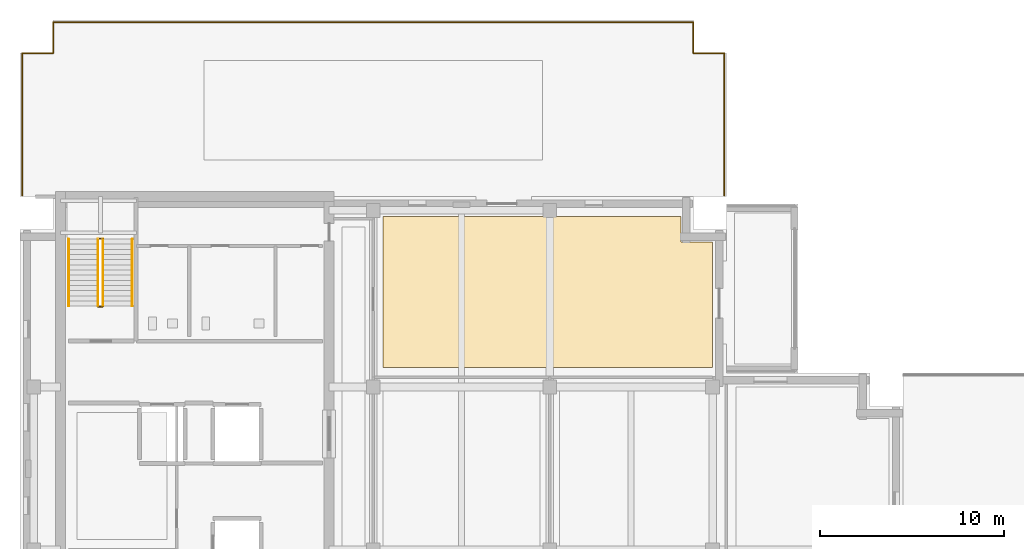
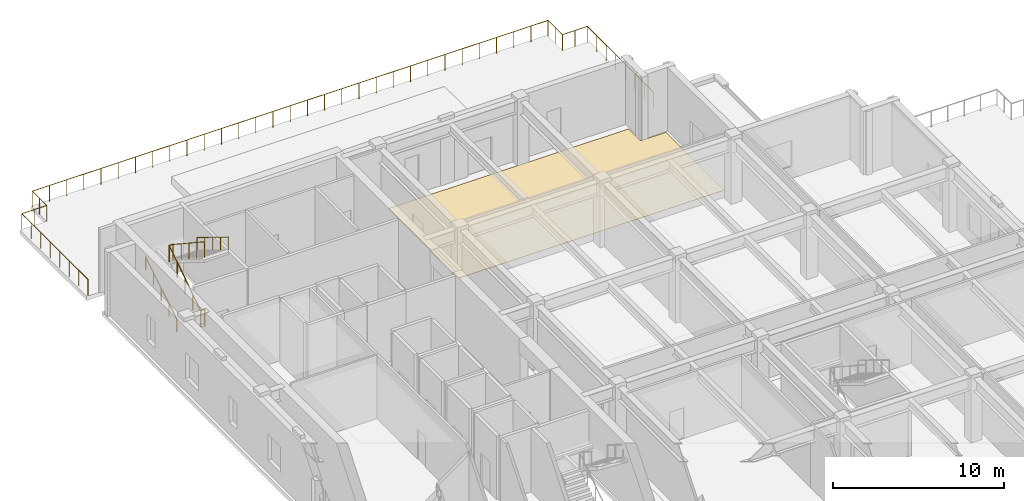
# One storey, part 9 of 11: 7 railings, 1 covering.
"""IFC4 building model written with IfcOpenShell, lengths in metres."""

from ifc_helpers import new_model, si_unit, direction, frame, origin, origin_2d, place, context, subcontext, project, spatial, polyline, circle, outline, extrude, material, layer, layer_set, type_object, element, save


model = new_model("IFC4")

# Units and contexts
model_context = context("Model", 3, precision=1e-05, world=origin(), true_north=direction((0.0, 1.0)))
body_context = subcontext(model_context, "Body", "Model", "MODEL_VIEW")
ifc_project = project(units=[si_unit("LENGTHUNIT", "METRE"), si_unit("AREAUNIT", "SQUARE_METRE"), si_unit("VOLUMEUNIT", "CUBIC_METRE"), si_unit("PLANEANGLEUNIT", "RADIAN"), si_unit("MASSUNIT", "GRAM", prefix="KILO")], contexts=[model_context])

# Site, building, storey
site_placement = place(None, origin())
site = spatial("IfcSite", under=ifc_project, at=site_placement, CompositionType="ELEMENT")
building_placement = place(site_placement, origin())
building = spatial("IfcBuilding", under=site, at=building_placement, Name="Norrvale University Quadrangle", CompositionType="ELEMENT")
storey_placement = place(building_placement, frame((0.0, 0.0, 261.0)))
storey = spatial("IfcBuildingStorey", under=building, at=storey_placement, Name="L66", CompositionType="ELEMENT", Elevation=261.0)

# Covering
ifc_material_1 = material(Name="Polished Terrazzo Flooring")
ifc_layer = layer(ifc_material_1, 0.02490234375, Name="Polished Terrazzo Flooring")
ifc_layer_set = layer_set([ifc_layer], Name="Polished Terrazzo Flooring")
covering_type = type_object("IfcCoveringType", Name="Covering Terrazzo Floor 30", PredefinedType="FLOORING", material=ifc_layer_set)
covering_placement = place(storey_placement, origin())
element("IfcCovering", 1, at=covering_placement, inside=storey, type_object=covering_type, Name="Terrazzo Flooring RM-L66-NE01", PredefinedType="FLOORING", context=body_context, shape_type="SweptSolid", body=[
    extrude(outline(polyline([(37.64990234375, 38.7099609375), (19.72998046875, 38.7099609375), (19.72998046875, 46.919921875), (35.929931640625, 46.919921875), (35.929931640625, 45.530029296875), (37.64990234375, 45.530029296875), (37.64990234375, 38.7099609375)])), origin(), (0.0, 0.0, 1.0), 0.02490234375),
])

# Railings
ifc_material_2 = material(Name="Steel 350W Painted Balustrade", Category="steel")
railing_type_1 = type_object("IfcRailingType", Name="Railing Stair Guard 1100", PredefinedType="GUARDRAIL", material=ifc_material_2)
for number, where, name in (
    (2, (4.239990234375, 42.02001953125, 0.0), "Stair Floor Well Guard ST-02 L66"),
    (3, (4.239990234375, 45.719970703125, 2.39990234375), "Stair Mid-Landing Slot Guard ST-02 L66"),
):
    element("IfcRailing", number, at=place(storey_placement, frame(where)), inside=storey, type_object=railing_type_1, Name=name, PredefinedType="GUARDRAIL", context=body_context, shape_type="SweptSolid", body=[
        extrude(circle(Radius=0.02392578125, at=origin_2d()), frame((0.0, 0.0, 1.1259765625), z_axis=(1.0, 0.0, 0.0), x_axis=(0.0, 1.0, 0.0)), (0.0, 0.0, 1.0), 0.27001953125),
        extrude(circle(Radius=0.02099609375, at=origin_2d()), origin(), (0.0, 0.0, 1.0), 1.101806640625),
        extrude(circle(Radius=0.02099609375, at=origin_2d()), frame((0.27001953125, 0.0, 0.0)), (0.0, 0.0, 1.0), 1.101806640625),
    ])
railing_1_placement = place(storey_placement, frame((4.239990234375, 42.050048828125, 0.0)))
element("IfcRailing", 4, at=railing_1_placement, inside=storey, type_object=railing_type_1, Name="Stair Lower Flight Inner Guard ST-02 L66", PredefinedType="GUARDRAIL", context=body_context, shape_type="SweptSolid", body=[
    extrude(circle(Radius=0.02392578125, at=origin_2d()), frame((0.0, 0.0, 1.1259765625), z_axis=(0.0, 0.834865213223, 0.550454426587), x_axis=(-1.0, 0.0, 0.0)), (0.0, 0.0, 1.0), 4.35986328125),
    extrude(circle(Radius=0.02099609375, at=origin_2d()), origin(), (0.0, 0.0, 1.0), 1.101806640625),
    extrude(circle(Radius=0.02099609375, at=origin_2d()), frame((0.0, 0.909912109375, 0.60009765625)), (0.0, 0.0, 1.0), 1.101806640625),
    extrude(circle(Radius=0.02099609375, at=origin_2d()), frame((0.0, 1.81982421875, 1.199951171875)), (0.0, 0.0, 1.0), 1.101806640625),
    extrude(circle(Radius=0.02099609375, at=origin_2d()), frame((0.0, 2.72998046875, 1.7998046875)), (0.0, 0.0, 1.0), 1.101806640625),
    extrude(circle(Radius=0.02099609375, at=origin_2d()), frame((0.0, 3.639892578125, 2.39990234375)), (0.0, 0.0, 1.0), 1.101806640625),
])
railing_2_placement = place(storey_placement, frame((4.510009765625, 45.68994140625, 2.39990234375)))
element("IfcRailing", 5, at=railing_2_placement, inside=storey, type_object=railing_type_1, Name="Stair Upper Flight Inner Guard ST-02 L66", PredefinedType="GUARDRAIL", context=body_context, shape_type="SweptSolid", body=[
    extrude(circle(Radius=0.02392578125, at=origin_2d()), frame((0.0, 0.0, 1.1259765625), z_axis=(0.0, -0.834839479206, 0.550493454965), x_axis=(1.0, 0.0, 0.0)), (0.0, 0.0, 1.0), 4.360107421875),
    extrude(circle(Radius=0.02099609375, at=origin_2d()), origin(), (0.0, 0.0, 1.0), 1.101806640625),
    extrude(circle(Radius=0.02099609375, at=origin_2d()), frame((0.0, -0.909912109375, 0.60009765625)), (0.0, 0.0, 1.0), 1.101806640625),
    extrude(circle(Radius=0.02099609375, at=origin_2d()), frame((0.0, -1.81982421875, 1.2001953125)), (0.0, 0.0, 1.0), 1.101806640625),
    extrude(circle(Radius=0.02099609375, at=origin_2d()), frame((0.0, -2.72998046875, 1.800048828125)), (0.0, 0.0, 1.0), 1.101806640625),
    extrude(circle(Radius=0.02099609375, at=origin_2d()), frame((0.0, -3.639892578125, 2.400146484375)), (0.0, 0.0, 1.0), 1.101806640625),
])
ifc_material_3 = material(Name="Stainless Steel 316L Handrail", Category="steel")
railing_type_2 = type_object("IfcRailingType", Name="Railing Stair Handrail 920", PredefinedType="HANDRAIL", material=ifc_material_3)
railing_3_placement = place(storey_placement, frame((2.639892578125, 42.050048828125, 0.17138671875)))
element("IfcRailing", 6, at=railing_3_placement, inside=storey, type_object=railing_type_2, Name="Stair Lower Flight Handrail ST-02 L66", PredefinedType="HANDRAIL", context=body_context, shape_type="SweptSolid", body=[
    extrude(circle(Radius=0.02392578125, at=origin_2d()), frame((0.0, 0.0, 0.89599609375), z_axis=(0.0, 0.852850264322, 0.5221555579), x_axis=(-1.0, 0.0, 0.0)), (0.0, 0.0, 1.0), 4.267822265625),
    extrude(circle(Radius=0.02099609375, at=origin_2d()), origin(), (0.0, 0.0, 1.0), 0.871826171875),
    extrude(circle(Radius=0.02099609375, at=origin_2d()), frame((0.0, 0.909912109375, 0.55712890625)), (0.0, 0.0, 1.0), 0.871826171875),
    extrude(circle(Radius=0.02099609375, at=origin_2d()), frame((0.0, 1.81982421875, 1.1142578125)), (0.0, 0.0, 1.0), 0.871826171875),
    extrude(circle(Radius=0.02099609375, at=origin_2d()), frame((0.0, 2.72998046875, 1.67138671875)), (0.0, 0.0, 1.0), 0.871826171875),
    extrude(circle(Radius=0.02099609375, at=origin_2d()), frame((0.0, 3.639892578125, 2.228515625)), (0.0, 0.0, 1.0), 0.871826171875),
])
railing_4_placement = place(storey_placement, frame((6.110107421875, 45.68994140625, 2.5712890625)))
element("IfcRailing", 7, at=railing_4_placement, inside=storey, type_object=railing_type_2, Name="Stair Upper Flight Handrail ST-02 L66", PredefinedType="HANDRAIL", context=body_context, shape_type="SweptSolid", body=[
    extrude(circle(Radius=0.02392578125, at=origin_2d()), frame((0.0, 0.0, 0.89599609375), z_axis=(0.0, -0.852824790078, 0.522197163366), x_axis=(1.0, 0.0, 0.0)), (0.0, 0.0, 1.0), 4.26806640625),
    extrude(circle(Radius=0.02099609375, at=origin_2d()), origin(), (0.0, 0.0, 1.0), 0.871826171875),
    extrude(circle(Radius=0.02099609375, at=origin_2d()), frame((0.0, -0.909912109375, 0.55712890625)), (0.0, 0.0, 1.0), 0.871826171875),
    extrude(circle(Radius=0.02099609375, at=origin_2d()), frame((0.0, -1.81982421875, 1.1142578125)), (0.0, 0.0, 1.0), 0.871826171875),
    extrude(circle(Radius=0.02099609375, at=origin_2d()), frame((0.0, -2.72998046875, 1.671630859375)), (0.0, 0.0, 1.0), 0.871826171875),
    extrude(circle(Radius=0.02099609375, at=origin_2d()), frame((0.0, -3.639892578125, 2.228759765625)), (0.0, 0.0, 1.0), 0.871826171875),
])
ifc_material_4 = material(Name="Stainless Steel 316L Balustrade", Category="steel")
railing_type_3 = type_object("IfcRailingType", Name="Railing Terrace Guard 1150", PredefinedType="BALUSTRADE", material=ifc_material_4)
railing_5_placement = place(storey_placement, frame((0.1201171875, 48.050048828125, 0.0)))
element("IfcRailing", 8, at=railing_5_placement, inside=storey, type_object=railing_type_3, Name="L66 North Setback Terrace Balustrade", PredefinedType="BALUSTRADE", context=body_context, shape_type="SweptSolid", body=[
    extrude(circle(Radius=0.02392578125, at=origin_2d()), frame((0.0, 0.0, 1.1259765625), z_axis=(0.0, 1.0, 0.0), x_axis=(-1.0, 0.0, 0.0)), (0.0, 0.0, 1.0), 7.75),
    extrude(circle(Radius=0.02392578125, at=origin_2d()), frame((0.0, 7.75, 1.1259765625), z_axis=(1.0, 0.0, 0.0), x_axis=(0.0, 1.0, 0.0)), (0.0, 0.0, 1.0), 1.679931640625),
    extrude(circle(Radius=0.02392578125, at=origin_2d()), frame((1.679931640625, 7.75, 1.1259765625), z_axis=(0.0, 1.0, 0.0), x_axis=(-1.0, 0.0, 0.0)), (0.0, 0.0, 1.0), 1.679931640625),
    extrude(circle(Radius=0.02392578125, at=origin_2d()), frame((1.679931640625, 9.429931640625, 1.1259765625), z_axis=(1.0, 0.0, 0.0), x_axis=(0.0, 1.0, 0.0)), (0.0, 0.0, 1.0), 34.800048828125),
    extrude(circle(Radius=0.02392578125, at=origin_2d()), frame((36.47998046875, 9.429931640625, 1.1259765625), z_axis=(0.0, -1.0, 0.0), x_axis=(1.0, 0.0, 0.0)), (0.0, 0.0, 1.0), 1.679931640625),
    extrude(circle(Radius=0.02392578125, at=origin_2d()), frame((36.47998046875, 7.75, 1.1259765625), z_axis=(1.0, 0.0, 0.0), x_axis=(0.0, 1.0, 0.0)), (0.0, 0.0, 1.0), 1.679931640625),
    extrude(circle(Radius=0.02392578125, at=origin_2d()), frame((38.159912109375, 7.75, 1.1259765625), z_axis=(0.0, -1.0, 0.0), x_axis=(1.0, 0.0, 0.0)), (0.0, 0.0, 1.0), 7.75),
    extrude(circle(Radius=0.02099609375, at=origin_2d()), origin(), (0.0, 0.0, 1.0), 1.101806640625),
    extrude(circle(Radius=0.02099609375, at=origin_2d()), frame((0.0, 1.107177734375, 0.0)), (0.0, 0.0, 1.0), 1.101806640625),
    extrude(circle(Radius=0.02099609375, at=origin_2d()), frame((0.0, 2.21435546875, 0.0)), (0.0, 0.0, 1.0), 1.101806640625),
    extrude(circle(Radius=0.02099609375, at=origin_2d()), frame((0.0, 3.321533203125, 0.0)), (0.0, 0.0, 1.0), 1.101806640625),
    extrude(circle(Radius=0.02099609375, at=origin_2d()), frame((0.0, 4.428466796875, 0.0)), (0.0, 0.0, 1.0), 1.101806640625),
    extrude(circle(Radius=0.02099609375, at=origin_2d()), frame((0.0, 5.53564453125, 0.0)), (0.0, 0.0, 1.0), 1.101806640625),
    extrude(circle(Radius=0.02099609375, at=origin_2d()), frame((0.0, 6.642822265625, 0.0)), (0.0, 0.0, 1.0), 1.101806640625),
    extrude(circle(Radius=0.02099609375, at=origin_2d()), frame((0.0, 7.75, 0.0)), (0.0, 0.0, 1.0), 1.101806640625),
    extrude(circle(Radius=0.02099609375, at=origin_2d()), frame((0.83984375, 7.75, 0.0)), (0.0, 0.0, 1.0), 1.101806640625),
    extrude(circle(Radius=0.02099609375, at=origin_2d()), frame((1.679931640625, 7.75, 0.0)), (0.0, 0.0, 1.0), 1.101806640625),
    extrude(circle(Radius=0.02099609375, at=origin_2d()), frame((1.679931640625, 8.58984375, 0.0)), (0.0, 0.0, 1.0), 1.101806640625),
    extrude(circle(Radius=0.02099609375, at=origin_2d()), frame((1.679931640625, 9.429931640625, 0.0)), (0.0, 0.0, 1.0), 1.101806640625),
    extrude(circle(Radius=0.02099609375, at=origin_2d()), frame((2.83984375, 9.429931640625, 0.0)), (0.0, 0.0, 1.0), 1.101806640625),
    extrude(circle(Radius=0.02099609375, at=origin_2d()), frame((4.0, 9.429931640625, 0.0)), (0.0, 0.0, 1.0), 1.101806640625),
    extrude(circle(Radius=0.02099609375, at=origin_2d()), frame((5.159912109375, 9.429931640625, 0.0)), (0.0, 0.0, 1.0), 1.101806640625),
    extrude(circle(Radius=0.02099609375, at=origin_2d()), frame((6.31982421875, 9.429931640625, 0.0)), (0.0, 0.0, 1.0), 1.101806640625),
    extrude(circle(Radius=0.02099609375, at=origin_2d()), frame((7.47998046875, 9.429931640625, 0.0)), (0.0, 0.0, 1.0), 1.101806640625),
    extrude(circle(Radius=0.02099609375, at=origin_2d()), frame((8.639892578125, 9.429931640625, 0.0)), (0.0, 0.0, 1.0), 1.101806640625),
    extrude(circle(Radius=0.02099609375, at=origin_2d()), frame((9.800048828125, 9.429931640625, 0.0)), (0.0, 0.0, 1.0), 1.101806640625),
    extrude(circle(Radius=0.02099609375, at=origin_2d()), frame((10.9599609375, 9.429931640625, 0.0)), (0.0, 0.0, 1.0), 1.101806640625),
    extrude(circle(Radius=0.02099609375, at=origin_2d()), frame((12.119873046875, 9.429931640625, 0.0)), (0.0, 0.0, 1.0), 1.101806640625),
    extrude(circle(Radius=0.02099609375, at=origin_2d()), frame((13.280029296875, 9.429931640625, 0.0)), (0.0, 0.0, 1.0), 1.101806640625),
    extrude(circle(Radius=0.02099609375, at=origin_2d()), frame((14.43994140625, 9.429931640625, 0.0)), (0.0, 0.0, 1.0), 1.101806640625),
    extrude(circle(Radius=0.02099609375, at=origin_2d()), frame((15.599853515625, 9.429931640625, 0.0)), (0.0, 0.0, 1.0), 1.101806640625),
    extrude(circle(Radius=0.02099609375, at=origin_2d()), frame((16.760009765625, 9.429931640625, 0.0)), (0.0, 0.0, 1.0), 1.101806640625),
    extrude(circle(Radius=0.02099609375, at=origin_2d()), frame((17.919921875, 9.429931640625, 0.0)), (0.0, 0.0, 1.0), 1.101806640625),
    extrude(circle(Radius=0.02099609375, at=origin_2d()), frame((19.080078125, 9.429931640625, 0.0)), (0.0, 0.0, 1.0), 1.101806640625),
    extrude(circle(Radius=0.02099609375, at=origin_2d()), frame((20.239990234375, 9.429931640625, 0.0)), (0.0, 0.0, 1.0), 1.101806640625),
    extrude(circle(Radius=0.02099609375, at=origin_2d()), frame((21.39990234375, 9.429931640625, 0.0)), (0.0, 0.0, 1.0), 1.101806640625),
    extrude(circle(Radius=0.02099609375, at=origin_2d()), frame((22.56005859375, 9.429931640625, 0.0)), (0.0, 0.0, 1.0), 1.101806640625),
    extrude(circle(Radius=0.02099609375, at=origin_2d()), frame((23.719970703125, 9.429931640625, 0.0)), (0.0, 0.0, 1.0), 1.101806640625),
    extrude(circle(Radius=0.02099609375, at=origin_2d()), frame((24.8798828125, 9.429931640625, 0.0)), (0.0, 0.0, 1.0), 1.101806640625),
    extrude(circle(Radius=0.02099609375, at=origin_2d()), frame((26.0400390625, 9.429931640625, 0.0)), (0.0, 0.0, 1.0), 1.101806640625),
    extrude(circle(Radius=0.02099609375, at=origin_2d()), frame((27.199951171875, 9.429931640625, 0.0)), (0.0, 0.0, 1.0), 1.101806640625),
    extrude(circle(Radius=0.02099609375, at=origin_2d()), frame((28.35986328125, 9.429931640625, 0.0)), (0.0, 0.0, 1.0), 1.101806640625),
    extrude(circle(Radius=0.02099609375, at=origin_2d()), frame((29.52001953125, 9.429931640625, 0.0)), (0.0, 0.0, 1.0), 1.101806640625),
    extrude(circle(Radius=0.02099609375, at=origin_2d()), frame((30.679931640625, 9.429931640625, 0.0)), (0.0, 0.0, 1.0), 1.101806640625),
    extrude(circle(Radius=0.02099609375, at=origin_2d()), frame((31.840087890625, 9.429931640625, 0.0)), (0.0, 0.0, 1.0), 1.101806640625),
    extrude(circle(Radius=0.02099609375, at=origin_2d()), frame((33.0, 9.429931640625, 0.0)), (0.0, 0.0, 1.0), 1.101806640625),
    extrude(circle(Radius=0.02099609375, at=origin_2d()), frame((34.159912109375, 9.429931640625, 0.0)), (0.0, 0.0, 1.0), 1.101806640625),
    extrude(circle(Radius=0.02099609375, at=origin_2d()), frame((35.320068359375, 9.429931640625, 0.0)), (0.0, 0.0, 1.0), 1.101806640625),
    extrude(circle(Radius=0.02099609375, at=origin_2d()), frame((36.47998046875, 9.429931640625, 0.0)), (0.0, 0.0, 1.0), 1.101806640625),
    extrude(circle(Radius=0.02099609375, at=origin_2d()), frame((36.47998046875, 8.58984375, 0.0)), (0.0, 0.0, 1.0), 1.101806640625),
    extrude(circle(Radius=0.02099609375, at=origin_2d()), frame((36.47998046875, 7.75, 0.0)), (0.0, 0.0, 1.0), 1.101806640625),
    extrude(circle(Radius=0.02099609375, at=origin_2d()), frame((37.31982421875, 7.75, 0.0)), (0.0, 0.0, 1.0), 1.101806640625),
    extrude(circle(Radius=0.02099609375, at=origin_2d()), frame((38.159912109375, 7.75, 0.0)), (0.0, 0.0, 1.0), 1.101806640625),
    extrude(circle(Radius=0.02099609375, at=origin_2d()), frame((38.159912109375, 6.642822265625, 0.0)), (0.0, 0.0, 1.0), 1.101806640625),
    extrude(circle(Radius=0.02099609375, at=origin_2d()), frame((38.159912109375, 5.53564453125, 0.0)), (0.0, 0.0, 1.0), 1.101806640625),
    extrude(circle(Radius=0.02099609375, at=origin_2d()), frame((38.159912109375, 4.428466796875, 0.0)), (0.0, 0.0, 1.0), 1.101806640625),
    extrude(circle(Radius=0.02099609375, at=origin_2d()), frame((38.159912109375, 3.321533203125, 0.0)), (0.0, 0.0, 1.0), 1.101806640625),
    extrude(circle(Radius=0.02099609375, at=origin_2d()), frame((38.159912109375, 2.21435546875, 0.0)), (0.0, 0.0, 1.0), 1.101806640625),
    extrude(circle(Radius=0.02099609375, at=origin_2d()), frame((38.159912109375, 1.107177734375, 0.0)), (0.0, 0.0, 1.0), 1.101806640625),
    extrude(circle(Radius=0.02099609375, at=origin_2d()), frame((38.159912109375, 0.0, 0.0)), (0.0, 0.0, 1.0), 1.101806640625),
])

save(model, "model.ifc")
